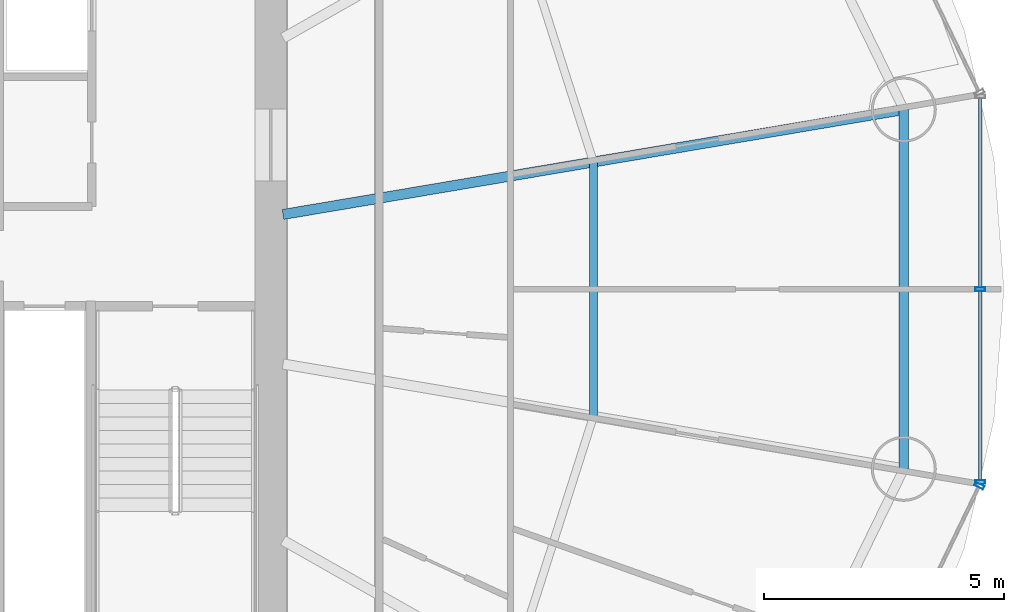
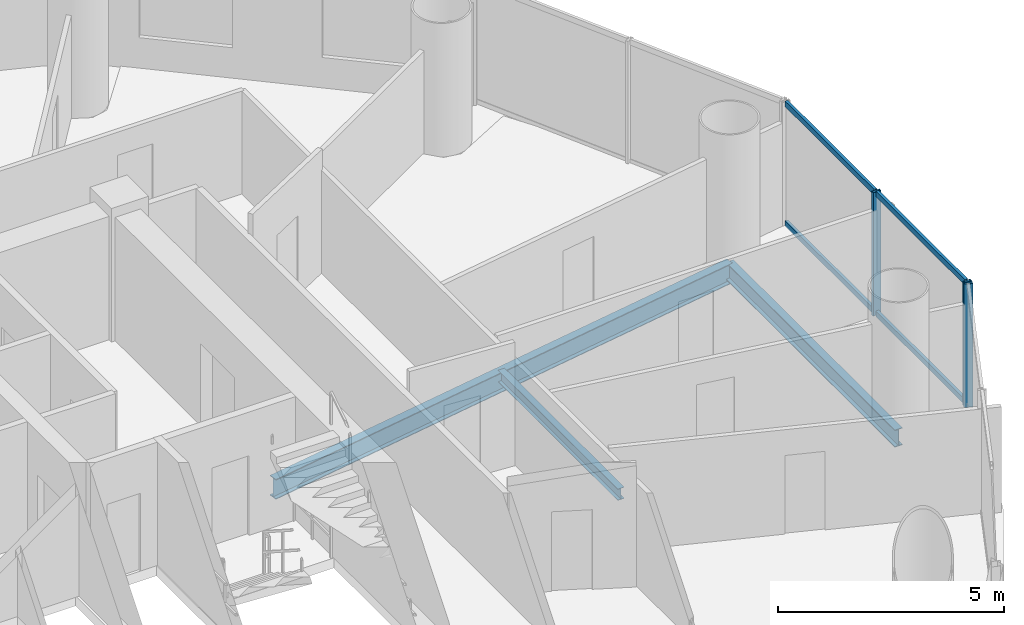
# One storey, part 11 of 26: 7 members, 3 beams, 2 elements without a shape of their own.
"""IFC4 building model written with IfcOpenShell, lengths in metres."""

import ifcopenshell
import ifcopenshell.guid

model = None  # the IFC model being written
_history = None  # IfcOwnerHistory: only IFC2X3 demands one
_inside = {}  # id of a spatial element -> (the spatial element, [elements in it])
_under = {}  # id of a project, library or spatial element -> (it, [spatial elements below it])
_declared = {}  # id of a project -> (the project, [libraries it declares])
_typed = {}  # id of a type object -> (the type object, [elements of that type])
_made_of = {}  # id of a material, layer set ... -> (it, [elements and type objects made of it])


def new_model(schema):
    """Start an empty IFC model of exactly this schema.

    Asked for "IFC4X3", IfcOpenShell would pick the latest addendum, in which some entities
    have other attributes; the version numbers below select the first issue.
    IFC2X3 requires an IfcOwnerHistory on every rooted entity: one is made here for all.
    """
    global model, _history
    if schema == "IFC4X3":
        model = ifcopenshell.file(schema_version=(4, 3, 0, 0))
    else:
        model = ifcopenshell.file(schema=schema)
    _inside.clear()
    _under.clear()
    _declared.clear()
    _typed.clear()
    _made_of.clear()
    _history = None
    if model.schema == "IFC2X3":
        org = make("IfcOrganization", Name="unknown")
        user = make(
            "IfcPersonAndOrganization",
            ThePerson=make("IfcPerson", FamilyName="unknown"),
            TheOrganization=org,
        )
        app = make(
            "IfcApplication",
            ApplicationDeveloper=org,
            Version="unknown",
            ApplicationFullName="unknown",
            ApplicationIdentifier="unknown",
        )
        _history = make(
            "IfcOwnerHistory",
            OwningUser=user,
            OwningApplication=app,
            ChangeAction="ADDED",
            CreationDate=0,
        )
    return model


def make(cls, **values):
    """One entity of the class cls with the attributes given. An attribute that is None is left unset."""
    return model.create_entity(
        cls, **{name: value for name, value in values.items() if value is not None}
    )


def rooted(cls, **values):
    """An entity with a GlobalId (a new one), such as an element, a storey or a relation."""
    return make(cls, GlobalId=ifcopenshell.guid.new(), OwnerHistory=_history, **values)


def si_unit(unit_type, name, prefix=None):
    """IfcSIUnit, for example si_unit("LENGTHUNIT", "METRE", prefix="MILLI")."""
    return make("IfcSIUnit", UnitType=unit_type, Prefix=prefix, Name=name)


def assignment(units):
    """IfcUnitAssignment: the units of a project."""
    return None if units is None else make("IfcUnitAssignment", Units=units)


def point(xyz):
    """IfcCartesianPoint."""
    return None if xyz is None else make("IfcCartesianPoint", Coordinates=xyz)


def direction(xyz):
    """IfcDirection."""
    return None if xyz is None else make("IfcDirection", DirectionRatios=xyz)


def frame(location, z_axis=None, x_axis=None):
    """IfcAxis2Placement3D, a coordinate frame: its origin and axes. An axis left out is left unset."""
    return make(
        "IfcAxis2Placement3D",
        Location=point(location),
        Axis=direction(z_axis),
        RefDirection=direction(x_axis),
    )


def frame_2d(location, x_axis=None):
    """IfcAxis2Placement2D, a coordinate frame in the plane: its origin and x axis."""
    return make(
        "IfcAxis2Placement2D", Location=point(location), RefDirection=direction(x_axis)
    )


def origin():
    """The frame at (0, 0, 0) with its axes left unset."""
    return frame((0.0, 0.0, 0.0))


def origin_2d():
    """The frame at (0, 0) in the plane with its x axis left unset."""
    return frame_2d((0.0, 0.0))


def place(relative_to, where):
    """IfcLocalPlacement: puts the frame where relative to a parent placement (None: the world)."""
    return make(
        "IfcLocalPlacement", PlacementRelTo=relative_to, RelativePlacement=where
    )


def context(
    kind, dimensions, precision=None, world=None, true_north=None, identifier=None
):
    """IfcGeometricRepresentationContext, for example the 3D "Model" context."""
    return make(
        "IfcGeometricRepresentationContext",
        ContextIdentifier=identifier,
        ContextType=kind,
        CoordinateSpaceDimension=dimensions,
        Precision=precision,
        WorldCoordinateSystem=world,
        TrueNorth=true_north,
    )


def subcontext(parent, identifier, kind, view, scale=None):
    """IfcGeometricRepresentationSubContext, for example "Body" below "Model"."""
    return make(
        "IfcGeometricRepresentationSubContext",
        ContextIdentifier=identifier,
        ContextType=kind,
        ParentContext=parent,
        TargetScale=scale,
        TargetView=view,
    )


def project(units=None, contexts=None):
    """IfcProject with its units and contexts."""
    return rooted(
        "IfcProject",
        Name="project",
        RepresentationContexts=contexts,
        UnitsInContext=assignment(units),
    )


def spatial(cls, under=None, at=None, **own):
    """A site, building, storey or space (cls), placed at a placement, below another one or the project."""
    s = rooted(cls, ObjectPlacement=at, **own)
    if under is not None:
        _under.setdefault(under.id(), (under, []))[1].append(s)
    return s


def profile(cls, at=None, kind="AREA", **sizes):
    """A parametric profile (cls). Its sizes go by their IFC names, for example OverallWidth=200.0."""
    return make(cls, ProfileType=kind, Position=at, **sizes)


def hollow_rectangle(**sizes):
    """IfcRectangleHollowProfileDef."""
    return profile("IfcRectangleHollowProfileDef", **sizes)


def i_section(**sizes):
    """IfcIShapeProfileDef."""
    return profile("IfcIShapeProfileDef", **sizes)


def extrude(swept, where, along, depth):
    """IfcExtrudedAreaSolid: the profile swept, set in the frame where, extruded along a direction by depth."""
    return make(
        "IfcExtrudedAreaSolid",
        SweptArea=swept,
        Position=where,
        ExtrudedDirection=direction(along),
        Depth=depth,
    )


def shape(context_of_items, identifier, shape_type, items):
    """IfcShapeRepresentation: the items that make up one representation, for example the "Body"."""
    return make(
        "IfcShapeRepresentation",
        ContextOfItems=context_of_items,
        RepresentationIdentifier=identifier,
        RepresentationType=shape_type,
        Items=items,
    )


def source(mapping_origin, context_of_items, identifier, shape_type, items):
    """IfcRepresentationMap: a shape defined once, which mapped items show again and again."""
    return make(
        "IfcRepresentationMap",
        MappingOrigin=mapping_origin,
        MappedRepresentation=shape(context_of_items, identifier, shape_type, items),
    )


def transform(
    local_origin,
    x_axis=None,
    y_axis=None,
    z_axis=None,
    scale=None,
    scale2=None,
    scale3=None,
    uniform=True,
):
    """IfcCartesianTransformationOperator3D, or its non-uniform kind. x_axis, y_axis, z_axis: its Axis1, 2, 3."""
    if uniform:
        return make(
            "IfcCartesianTransformationOperator3D",
            Axis1=direction(x_axis),
            Axis2=direction(y_axis),
            LocalOrigin=point(local_origin),
            Scale=scale,
            Axis3=direction(z_axis),
        )
    return make(
        "IfcCartesianTransformationOperator3DnonUniform",
        Axis1=direction(x_axis),
        Axis2=direction(y_axis),
        LocalOrigin=point(local_origin),
        Scale=scale,
        Axis3=direction(z_axis),
        Scale2=scale2,
        Scale3=scale3,
    )


def mapped(mapping_source, mapping_target):
    """IfcMappedItem: shows the shape of a source again, moved by a transform."""
    return make(
        "IfcMappedItem", MappingSource=mapping_source, MappingTarget=mapping_target
    )


def material(Name=None, Category=None):
    """IfcMaterial."""
    return make("IfcMaterial", Name=Name, Category=Category)


def material_profile(
    of_material, cross_section, Name=None, Category=None, Priority=None
):
    """IfcMaterialProfile: a cross section and its material."""
    return make(
        "IfcMaterialProfile",
        Name=Name,
        Material=of_material,
        Profile=cross_section,
        Priority=Priority,
        Category=Category,
    )


def profile_set(profiles, Name=None, composite=None):
    """IfcMaterialProfileSet."""
    return make(
        "IfcMaterialProfileSet",
        Name=Name,
        MaterialProfiles=profiles,
        CompositeProfile=composite,
    )


def made_of(thing, what):
    """Note that an element or type object is made of a material, layer set ...; save() writes the relation."""
    if what is not None:
        _made_of.setdefault(what.id(), (what, []))[1].append(thing)
    return thing


def type_object(cls, material=None, **own):
    """A type object (cls), such as IfcWallType, which elements share."""
    return made_of(rooted(cls, **own), material)


def element(
    cls,
    number,
    at=None,
    inside=None,
    cuts=None,
    type_object=None,
    material=None,
    context=None,
    identifier="Body",
    shape_type=None,
    held_by="IfcProductDefinitionShape",
    body=None,
    shapes=None,
    **own,
):
    """One element of the class cls, such as IfcWall. Its Tag is "e" and its number.

    at: its placement. inside: the storey or other place that contains it. cuts: it is an
    opening in that element (IfcRelVoidsElement). A single representation is given by context,
    identifier, shape_type and body (its items); several are given by shapes. held_by: the class
    of the entity that holds the representations. save() writes the other relations.
    """
    e = rooted(cls, Tag="e%d" % number, ObjectPlacement=at, **own)
    if body is not None:
        shapes = [shape(context, identifier, shape_type, body)]
    if shapes is not None:
        e.Representation = make(held_by, Representations=shapes)
    if inside is not None:
        _inside.setdefault(inside.id(), (inside, []))[1].append(e)
    if cuts is not None:
        rooted(
            "IfcRelVoidsElement", RelatingBuildingElement=cuts, RelatedOpeningElement=e
        )
    if type_object is not None:
        _typed.setdefault(type_object.id(), (type_object, []))[1].append(e)
    return made_of(e, material)


def aggregate(whole, parts):
    """IfcRelAggregates: a whole, such as a stair, and the parts it consists of."""
    return rooted("IfcRelAggregates", RelatingObject=whole, RelatedObjects=parts)


def save(model, path):
    """Write the relations noted so far, then the file.

    IfcRelAggregates (storeys below a building ...), IfcRelContainedInSpatialStructure (elements
    in a storey), IfcRelDefinesByType, IfcRelAssociatesMaterial and IfcRelDeclares: one each for
    every whole, place, type object, material and project.
    """
    for whole, parts in _under.values():
        aggregate(whole, parts)
    for where, things in _inside.values():
        rooted(
            "IfcRelContainedInSpatialStructure",
            RelatedElements=things,
            RelatingStructure=where,
        )
    for kind, things in _typed.values():
        rooted("IfcRelDefinesByType", RelatedObjects=things, RelatingType=kind)
    for what, things in _made_of.values():
        rooted("IfcRelAssociatesMaterial", RelatedObjects=things, RelatingMaterial=what)
    for by, libraries in _declared.values():
        rooted("IfcRelDeclares", RelatingContext=by, RelatedDefinitions=libraries)
    model.write(path)


model = new_model("IFC4")

# Units and contexts
model_context = context("Model", 3, precision=1e-05, world=origin(), true_north=direction((-0.2419218956, 0.970295726276)))
body_context = subcontext(model_context, "Body", "Model", "MODEL_VIEW")
ifc_project = project(units=[si_unit("LENGTHUNIT", "METRE"), si_unit("AREAUNIT", "SQUARE_METRE"), si_unit("VOLUMEUNIT", "CUBIC_METRE"), si_unit("PLANEANGLEUNIT", "RADIAN"), si_unit("MASSUNIT", "GRAM", prefix="KILO")], contexts=[model_context])

# Site, building, storey
site_placement = place(None, origin())
site = spatial("IfcSite", under=ifc_project, at=site_placement, CompositionType="ELEMENT")
building_placement = place(site_placement, origin())
building = spatial("IfcBuilding", under=site, at=building_placement, Name="Cobrevalo Terracotta Tower", CompositionType="ELEMENT")
storey_placement = place(building_placement, frame((0.0, 0.0, 171.39990234375)))
storey = spatial("IfcBuildingStorey", under=building, at=storey_placement, Name="L45", CompositionType="ELEMENT", Elevation=171.39990234375)

# Beams
ifc_material_1 = material(Name="Steel S355", Category="steel")
ifc_material_profile_1 = material_profile(ifc_material_1, i_section(OverallWidth=0.2109375, OverallDepth=0.5390625, WebThickness=0.01171875, FlangeThickness=0.018798828125, at=origin_2d()), Name="W 530x109")
ifc_profile_set_1 = profile_set([ifc_material_profile_1], Name="Steel S355")
beam_type_1 = type_object("IfcBeamType", Name="Structural Beam W 530x109 (Steel S355)", PredefinedType="BEAM", material=ifc_profile_set_1)
beam_1_placement = place(storey_placement, frame((60.11669921875, 30.535888671875, -0.539306640625), z_axis=(-0.986032794282, -0.166551279191, 0.0), x_axis=(0.166551279191, -0.986032794282, 0.0)))
element("IfcBeam", 1, at=beam_1_placement, inside=storey, type_object=beam_type_1, Name="L45 radial floor girder 01", PredefinedType="BEAM", context=body_context, shape_type="SweptSolid", body=[
    extrude(i_section(OverallWidth=0.2109375, OverallDepth=0.5390625, WebThickness=0.01171875, FlangeThickness=0.018798828125, at=origin_2d()), origin(), (0.0, 0.0, 1.0), 13.094482421875),
])
ifc_material_profile_2 = material_profile(ifc_material_1, i_section(OverallWidth=0.1650390625, OverallDepth=0.31005859375, WebThickness=0.005859375, FlangeThickness=0.009765625, at=origin_2d()), Name="W 310x38.7")
ifc_profile_set_2 = profile_set([ifc_material_profile_2], Name="Steel S355")
beam_type_2 = type_object("IfcBeamType", Name="Structural Joist W 310x38.7 (Steel S355)", PredefinedType="JOIST", material=ifc_profile_set_2)
beam_2_placement = place(storey_placement, frame((53.660888671875, 24.154541015625, -0.4248046875), z_axis=(0.0, 1.0, 0.0), x_axis=(-1.0, 0.0, 0.0)))
element("IfcBeam", 2, at=beam_2_placement, inside=storey, type_object=beam_type_2, Name="L45 circumferential secondary floor joist 16", PredefinedType="JOIST", context=body_context, shape_type="SweptSolid", body=[
    extrude(i_section(OverallWidth=0.1650390625, OverallDepth=0.31005859375, WebThickness=0.005859375, FlangeThickness=0.009765625, at=origin_2d()), origin(), (0.0, 0.0, 1.0), 5.291015625),
])
ifc_material_profile_3 = material_profile(ifc_material_1, i_section(OverallWidth=0.194091796875, OverallDepth=0.468994140625, WebThickness=0.011474609375, FlangeThickness=0.0205078125, at=origin_2d()), Name="W 460x106")
ifc_profile_set_3 = profile_set([ifc_material_profile_3], Name="Steel S355")
beam_type_3 = type_object("IfcBeamType", Name="Structural Spandrel W 460x106 (Steel S355)", PredefinedType="SPANDREL", material=ifc_profile_set_3)
beam_3_placement = place(storey_placement, frame((60.11669921875, 23.06396484375, -0.50439453125), z_axis=(0.0, 1.0, 0.0), x_axis=(-1.0, 0.0, 0.0)))
element("IfcBeam", 3, at=beam_3_placement, inside=storey, type_object=beam_type_3, Name="L45 perimeter ring spandrel 16", PredefinedType="SPANDREL", context=body_context, shape_type="SweptSolid", body=[
    extrude(i_section(OverallWidth=0.194091796875, OverallDepth=0.468994140625, WebThickness=0.011474609375, FlangeThickness=0.0205078125, at=origin_2d()), origin(), (0.0, 0.0, 1.0), 7.471923828125),
])

# Curtain wall, member
ifc_material_2 = material(Name="Anodized aluminium", Category="aluminium")
curtain_wall_type = type_object("IfcCurtainWallType", Name="Mid-tower high-wind unitised curtain wall CW-U2", PredefinedType="NOTDEFINED", material=ifc_material_2)
curtain_wall_1_placement = place(storey_placement, origin())
curtain_wall_1 = element("IfcCurtainWall", 4, at=curtain_wall_1_placement, inside=storey, type_object=curtain_wall_type, Name="L45 curtain wall CW-L45-S15", PredefinedType="NOTDEFINED")
ifc_material_profile_4 = material_profile(ifc_material_2, hollow_rectangle(XDim=0.074951171875, YDim=0.199951171875, WallThickness=0.0048828125, at=origin_2d()), Name="CWM 75x200")
ifc_profile_set_4 = profile_set([ifc_material_profile_4], Name="Anodized aluminium")
member_type_1 = type_object("IfcMemberType", Name="Lower/mid tower unitised mullion 75x200", PredefinedType="MULLION", material=ifc_profile_set_4)
shared_shape_1 = source(origin(), body_context, "Body", "SweptSolid", [
    extrude(hollow_rectangle(XDim=0.074951171875, YDim=0.199951171875, WallThickness=0.0048828125, at=origin_2d()), origin(), (0.0, 0.0, 1.0), 3.330078125),
])
member_1_placement = place(storey_placement, frame((61.688232421875, 22.7119140625, 0.0), z_axis=(0.0, 0.0, 1.0), x_axis=(0.434209440271, 0.900811945957, 0.0)))
member_1 = element("IfcMember", 5, at=member_1_placement, type_object=member_type_1, Name="CW-L45-S15 vertical mullion 03", PredefinedType="MULLION", context=body_context, shape_type="MappedRepresentation", body=[
    mapped(shared_shape_1, transform((0.0, 0.0, 0.0), scale=1.0)),
])
aggregate(curtain_wall_1, [member_1])

# Curtain wall, members
curtain_wall_2_placement = place(storey_placement, origin())
curtain_wall_2 = element("IfcCurtainWall", 6, at=curtain_wall_2_placement, inside=storey, type_object=curtain_wall_type, Name="L45 curtain wall CW-L45-S16", PredefinedType="NOTDEFINED")
member_2_placement = place(storey_placement, frame((61.70556640625, 22.7880859375, 0.0), z_axis=(0.0, 0.0, 1.0), x_axis=(0.0, 1.0, 0.0)))
member_2 = element("IfcMember", 7, at=member_2_placement, type_object=member_type_1, Name="CW-L45-S16 vertical mullion 01", PredefinedType="MULLION", context=body_context, shape_type="MappedRepresentation", body=[
    mapped(shared_shape_1, transform((0.0, 0.0, 0.0), scale=1.0)),
])
member_3_placement = place(storey_placement, frame((61.70556640625, 26.800048828125, 0.0), z_axis=(0.0, 0.0, 1.0), x_axis=(0.0, 1.0, 0.0)))
member_3 = element("IfcMember", 8, at=member_3_placement, type_object=member_type_1, Name="CW-L45-S16 vertical mullion 02", PredefinedType="MULLION", context=body_context, shape_type="MappedRepresentation", body=[
    mapped(shared_shape_1, transform((0.0, 0.0, 0.0), scale=1.0)),
])
ifc_material_profile_5 = material_profile(ifc_material_2, hollow_rectangle(XDim=0.074951171875, YDim=0.14990234375, WallThickness=0.00439453125, at=origin_2d()), Name="CWT 75x150")
ifc_profile_set_5 = profile_set([ifc_material_profile_5], Name="Anodized aluminium")
member_type_2 = type_object("IfcMemberType", Name="Tower unitised aluminium transom 75x150", PredefinedType="USERDEFINED", material=ifc_profile_set_5)
shared_shape_2 = source(origin(), body_context, "Body", "SweptSolid", [
    extrude(hollow_rectangle(XDim=0.074951171875, YDim=0.14990234375, WallThickness=0.00439453125, at=origin_2d()), origin(), (0.0, 0.0, 1.0), 3.931884765625),
])
member_4_placement = place(storey_placement, frame((61.70556640625, 26.840087890625, 0.050048828125), z_axis=(0.0, 1.0, 0.0), x_axis=(-1.0, 0.0, 0.0)))
member_4 = element("IfcMember", 9, at=member_4_placement, type_object=member_type_2, Name="CW-L45-S16 transom B02-T1", ObjectType="TRANSOM", PredefinedType="USERDEFINED", context=body_context, shape_type="MappedRepresentation", body=[
    mapped(shared_shape_2, transform((0.0, 0.0, 0.0), scale=1.0)),
])
member_5_placement = place(storey_placement, frame((61.70556640625, 26.840087890625, 3.280029296875), z_axis=(0.0, 1.0, 0.0), x_axis=(-1.0, 0.0, 0.0)))
member_5 = element("IfcMember", 10, at=member_5_placement, type_object=member_type_2, Name="CW-L45-S16 transom B02-T2", ObjectType="TRANSOM", PredefinedType="USERDEFINED", context=body_context, shape_type="MappedRepresentation", body=[
    mapped(shared_shape_2, transform((0.0, 0.0, 0.0), scale=1.0)),
])
shared_shape_3 = source(origin(), body_context, "Body", "SweptSolid", [
    extrude(hollow_rectangle(XDim=0.074951171875, YDim=0.14990234375, WallThickness=0.00439453125, at=origin_2d()), origin(), (0.0, 0.0, 1.0), 3.93212890625),
])
member_6_placement = place(storey_placement, frame((61.70556640625, 22.827880859375, 0.050048828125), z_axis=(0.0, 1.0, 0.0), x_axis=(-1.0, 0.0, 0.0)))
member_6 = element("IfcMember", 11, at=member_6_placement, type_object=member_type_2, Name="CW-L45-S16 transom B01-T1", ObjectType="TRANSOM", PredefinedType="USERDEFINED", context=body_context, shape_type="MappedRepresentation", body=[
    mapped(shared_shape_3, transform((0.0, 0.0, 0.0), scale=1.0)),
])
member_7_placement = place(storey_placement, frame((61.70556640625, 22.827880859375, 3.280029296875), z_axis=(0.0, 1.0, 0.0), x_axis=(-1.0, 0.0, 0.0)))
member_7 = element("IfcMember", 12, at=member_7_placement, type_object=member_type_2, Name="CW-L45-S16 transom B01-T2", ObjectType="TRANSOM", PredefinedType="USERDEFINED", context=body_context, shape_type="MappedRepresentation", body=[
    mapped(shared_shape_3, transform((0.0, 0.0, 0.0), scale=1.0)),
])
aggregate(curtain_wall_2, [member_2, member_3, member_6, member_7, member_4, member_5])

save(model, "model.ifc")
